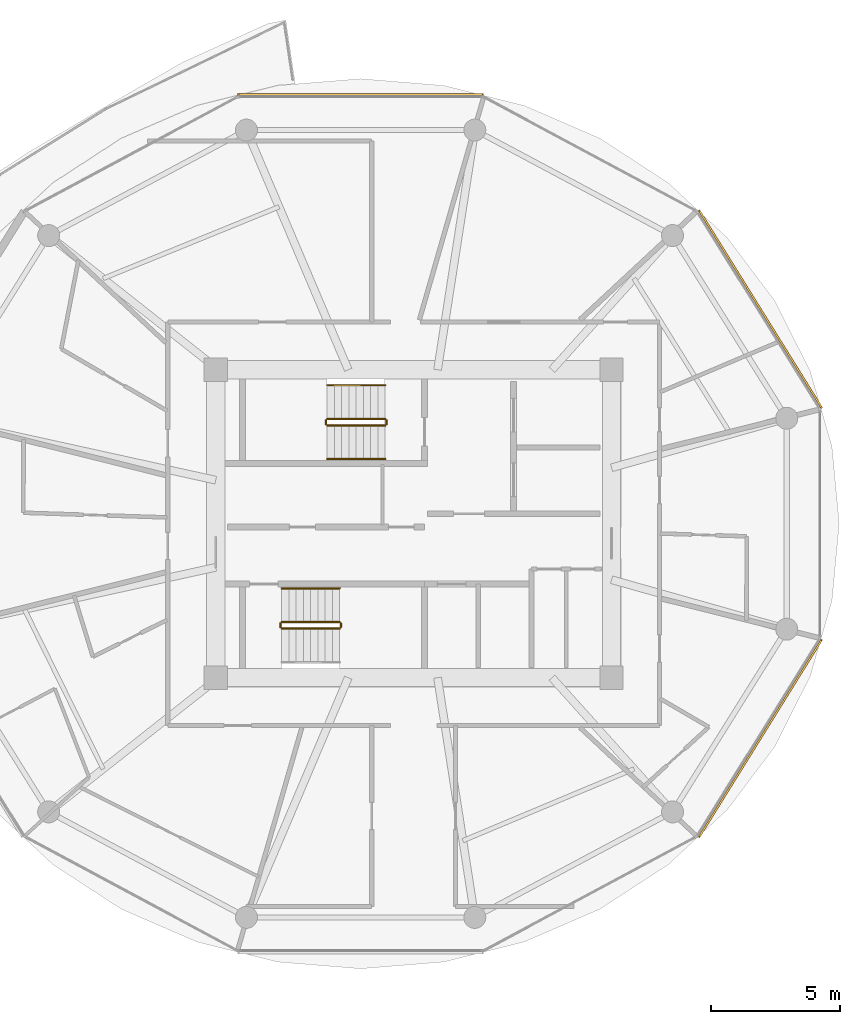
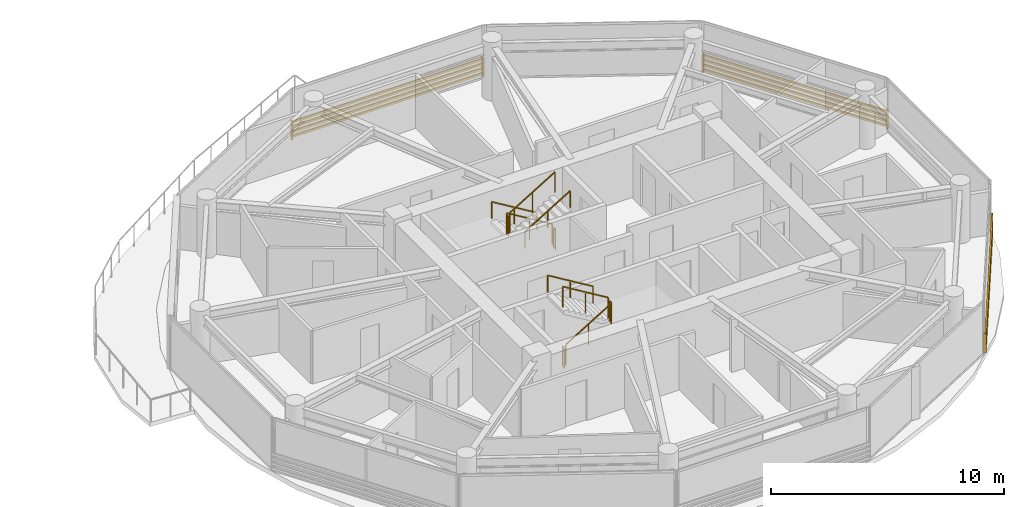
# One storey, part 22 of 22: 11 railings, 3 shading devices.
"""IFC4 building model written with IfcOpenShell, lengths in metres."""

from ifc_helpers import new_model, si_unit, direction, frame, origin, origin_2d, place, context, subcontext, project, spatial, rectangle, extrude, source, transform, mapped, material, type_object, type_shapes, element, save


model = new_model("IFC4")

# Units and contexts
model_context = context("Model", 3, precision=1e-05, world=origin(), true_north=direction((0.0, 1.0)))
body_context = subcontext(model_context, "Body", "Model", "MODEL_VIEW")
ifc_project = project(units=[si_unit("LENGTHUNIT", "METRE"), si_unit("AREAUNIT", "SQUARE_METRE"), si_unit("VOLUMEUNIT", "CUBIC_METRE"), si_unit("PLANEANGLEUNIT", "RADIAN"), si_unit("MASSUNIT", "GRAM", prefix="KILO")], contexts=[model_context])

# Site, building, storey
site_placement = place(None, origin())
site = spatial("IfcSite", under=ifc_project, at=site_placement, CompositionType="ELEMENT")
building_placement = place(site_placement, origin())
building = spatial("IfcBuilding", under=site, at=building_placement, Name="Norrkilde Senior Care Towers", CompositionType="ELEMENT")
storey_placement = place(building_placement, frame((0.0, 0.0, 123.699951171875)))
storey = spatial("IfcBuildingStorey", under=building, at=storey_placement, Name="L38", CompositionType="ELEMENT", Elevation=123.699951171875)

# Railings
ifc_material_1 = material(Name="Stainless Steel", Category="steel")
railing_type_1 = type_object("IfcRailingType", Name="Stair and Terrace Guardrail 1100", PredefinedType="GUARDRAIL", material=ifc_material_1)
railing_1_placement = place(storey_placement, frame((26.89990234375, 4.050048828125, 0.16943359375)))
element("IfcRailing", 1, at=railing_1_placement, inside=storey, type_object=railing_type_1, Name="L38 ST-E1 stair guard 1", PredefinedType="GUARDRAIL", context=body_context, shape_type="SweptSolid", body=[
    extrude(rectangle(XDim=0.048095703125, YDim=0.048095703125, at=origin_2d()), frame((0.0, 0.0, 1.076171875), z_axis=(-0.855512035549, 0.0, 0.517782924622), x_axis=(0.0, -1.0, 0.0)), (0.0, 0.0, 1.0), 2.618408203125),
    extrude(rectangle(XDim=0.0419921875, YDim=0.0419921875, at=origin_2d()), origin(), (0.0, 0.0, 1.0), 1.050048828125),
    extrude(rectangle(XDim=0.0419921875, YDim=0.0419921875, at=origin_2d()), frame((-1.1201171875, 0.0, 0.677734375)), (0.0, 0.0, 1.0), 1.050048828125),
    extrude(rectangle(XDim=0.0419921875, YDim=0.0419921875, at=origin_2d()), frame((-2.239990234375, 0.0, 1.355712890625)), (0.0, 0.0, 1.0), 1.050048828125),
])
railing_2_placement = place(storey_placement, frame((24.610107421875, 4.0, 1.525146484375)))
element("IfcRailing", 2, at=railing_2_placement, inside=storey, type_object=railing_type_1, Name="L38 ST-E1 stair guard 2", PredefinedType="GUARDRAIL", context=body_context, shape_type="SweptSolid", body=[
    extrude(rectangle(XDim=0.048095703125, YDim=0.048095703125, at=origin_2d()), frame((0.0, 0.0, 1.076171875), z_axis=(0.0, -1.0, 0.0), x_axis=(1.0, 0.0, 0.0)), (0.0, 0.0, 1.0), 0.14990234375),
    extrude(rectangle(XDim=0.0419921875, YDim=0.0419921875, at=origin_2d()), origin(), (0.0, 0.0, 1.0), 1.050048828125),
    extrude(rectangle(XDim=0.0419921875, YDim=0.0419921875, at=origin_2d()), frame((0.0, -0.14990234375, 0.0)), (0.0, 0.0, 1.0), 1.050048828125),
])
railing_3_placement = place(storey_placement, frame((24.659912109375, 3.800048828125, 1.694580078125)))
element("IfcRailing", 3, at=railing_3_placement, inside=storey, type_object=railing_type_1, Name="L38 ST-E1 stair guard 3", PredefinedType="GUARDRAIL", context=body_context, shape_type="SweptSolid", body=[
    extrude(rectangle(XDim=0.048095703125, YDim=0.048095703125, at=origin_2d()), frame((0.0, 0.0, 1.076171875), z_axis=(0.855553338991, 0.0, 0.51771467445), x_axis=(0.0, 1.0, 0.0)), (0.0, 0.0, 1.0), 2.6181640625),
    extrude(rectangle(XDim=0.0419921875, YDim=0.0419921875, at=origin_2d()), origin(), (0.0, 0.0, 1.0), 1.050048828125),
    extrude(rectangle(XDim=0.0419921875, YDim=0.0419921875, at=origin_2d()), frame((1.1201171875, 0.0, 0.677734375)), (0.0, 0.0, 1.0), 1.050048828125),
    extrude(rectangle(XDim=0.0419921875, YDim=0.0419921875, at=origin_2d()), frame((2.239990234375, 0.0, 1.35546875)), (0.0, 0.0, 1.0), 1.050048828125),
])
railing_4_placement = place(storey_placement, frame((26.949951171875, 4.0, 0.0)))
element("IfcRailing", 4, at=railing_4_placement, inside=storey, type_object=railing_type_1, Name="L38 ST-E1 stair guard 4", PredefinedType="GUARDRAIL", context=body_context, shape_type="SweptSolid", body=[
    extrude(rectangle(XDim=0.048095703125, YDim=0.048095703125, at=origin_2d()), frame((0.0, 0.0, 1.076171875), z_axis=(0.0, -1.0, 0.0), x_axis=(1.0, 0.0, 0.0)), (0.0, 0.0, 1.0), 0.14990234375),
    extrude(rectangle(XDim=0.0419921875, YDim=0.0419921875, at=origin_2d()), origin(), (0.0, 0.0, 1.0), 1.050048828125),
    extrude(rectangle(XDim=0.0419921875, YDim=0.0419921875, at=origin_2d()), frame((0.0, -0.14990234375, 0.0)), (0.0, 0.0, 1.0), 1.050048828125),
])
railing_5_placement = place(storey_placement, frame((22.89990234375, -4.050048828125, 0.16943359375)))
element("IfcRailing", 5, at=railing_5_placement, inside=storey, type_object=railing_type_1, Name="L38 ST-E2 stair guard 1", PredefinedType="GUARDRAIL", context=body_context, shape_type="SweptSolid", body=[
    extrude(rectangle(XDim=0.048095703125, YDim=0.048095703125, at=origin_2d()), frame((0.0, 0.0, 1.076171875), z_axis=(0.855512035549, 0.0, 0.517782924622), x_axis=(0.0, 1.0, 0.0)), (0.0, 0.0, 1.0), 2.618408203125),
    extrude(rectangle(XDim=0.0419921875, YDim=0.0419921875, at=origin_2d()), origin(), (0.0, 0.0, 1.0), 1.050048828125),
    extrude(rectangle(XDim=0.0419921875, YDim=0.0419921875, at=origin_2d()), frame((1.1201171875, 0.0, 0.677734375)), (0.0, 0.0, 1.0), 1.050048828125),
    extrude(rectangle(XDim=0.0419921875, YDim=0.0419921875, at=origin_2d()), frame((2.239990234375, 0.0, 1.355712890625)), (0.0, 0.0, 1.0), 1.050048828125),
])
railing_6_placement = place(storey_placement, frame((25.18994140625, -4.0, 1.525146484375)))
element("IfcRailing", 6, at=railing_6_placement, inside=storey, type_object=railing_type_1, Name="L38 ST-E2 stair guard 2", PredefinedType="GUARDRAIL", context=body_context, shape_type="SweptSolid", body=[
    extrude(rectangle(XDim=0.048095703125, YDim=0.048095703125, at=origin_2d()), frame((0.0, 0.0, 1.076171875), z_axis=(0.0, 1.0, 0.0), x_axis=(-1.0, 0.0, 0.0)), (0.0, 0.0, 1.0), 0.14990234375),
    extrude(rectangle(XDim=0.0419921875, YDim=0.0419921875, at=origin_2d()), origin(), (0.0, 0.0, 1.0), 1.050048828125),
    extrude(rectangle(XDim=0.0419921875, YDim=0.0419921875, at=origin_2d()), frame((0.0, 0.14990234375, 0.0)), (0.0, 0.0, 1.0), 1.050048828125),
])
railing_7_placement = place(storey_placement, frame((25.139892578125, -3.800048828125, 1.694580078125)))
element("IfcRailing", 7, at=railing_7_placement, inside=storey, type_object=railing_type_1, Name="L38 ST-E2 stair guard 3", PredefinedType="GUARDRAIL", context=body_context, shape_type="SweptSolid", body=[
    extrude(rectangle(XDim=0.048095703125, YDim=0.048095703125, at=origin_2d()), frame((0.0, 0.0, 1.076171875), z_axis=(-0.855553338991, 0.0, 0.51771467445), x_axis=(0.0, -1.0, 0.0)), (0.0, 0.0, 1.0), 2.6181640625),
    extrude(rectangle(XDim=0.0419921875, YDim=0.0419921875, at=origin_2d()), origin(), (0.0, 0.0, 1.0), 1.050048828125),
    extrude(rectangle(XDim=0.0419921875, YDim=0.0419921875, at=origin_2d()), frame((-1.1201171875, 0.0, 0.677734375)), (0.0, 0.0, 1.0), 1.050048828125),
    extrude(rectangle(XDim=0.0419921875, YDim=0.0419921875, at=origin_2d()), frame((-2.239990234375, 0.0, 1.35546875)), (0.0, 0.0, 1.0), 1.050048828125),
])
railing_8_placement = place(storey_placement, frame((22.85009765625, -4.0, 0.0)))
element("IfcRailing", 8, at=railing_8_placement, inside=storey, type_object=railing_type_1, Name="L38 ST-E2 stair guard 4", PredefinedType="GUARDRAIL", context=body_context, shape_type="SweptSolid", body=[
    extrude(rectangle(XDim=0.048095703125, YDim=0.048095703125, at=origin_2d()), frame((0.0, 0.0, 1.076171875), z_axis=(0.0, 1.0, 0.0), x_axis=(-1.0, 0.0, 0.0)), (0.0, 0.0, 1.0), 0.14990234375),
    extrude(rectangle(XDim=0.0419921875, YDim=0.0419921875, at=origin_2d()), origin(), (0.0, 0.0, 1.0), 1.050048828125),
    extrude(rectangle(XDim=0.0419921875, YDim=0.0419921875, at=origin_2d()), frame((0.0, 0.14990234375, 0.0)), (0.0, 0.0, 1.0), 1.050048828125),
])
ifc_material_2 = material(Name="Nordic Ash Timber", Category="wood")
railing_type_2 = type_object("IfcRailingType", Name="Wall and Stair Handrail 900", PredefinedType="HANDRAIL", material=ifc_material_2)
railing_9_placement = place(storey_placement, frame((26.89990234375, 5.35009765625, 0.16943359375)))
element("IfcRailing", 9, at=railing_9_placement, inside=storey, type_object=railing_type_2, Name="L38 ST-E1 stair handrail 1", PredefinedType="HANDRAIL", context=body_context, shape_type="SweptSolid", body=[
    extrude(rectangle(XDim=0.048095703125, YDim=0.048095703125, at=origin_2d()), frame((0.0, 0.0, 0.8759765625), z_axis=(-0.855512035549, 0.0, 0.517782924622), x_axis=(0.0, -1.0, 0.0)), (0.0, 0.0, 1.0), 2.618408203125),
    extrude(rectangle(XDim=0.0419921875, YDim=0.0419921875, at=origin_2d()), origin(), (0.0, 0.0, 1.0), 0.849853515625),
    extrude(rectangle(XDim=0.0419921875, YDim=0.0419921875, at=origin_2d()), frame((-1.1201171875, 0.0, 0.677734375)), (0.0, 0.0, 1.0), 0.849853515625),
    extrude(rectangle(XDim=0.0419921875, YDim=0.0419921875, at=origin_2d()), frame((-2.239990234375, 0.0, 1.355712890625)), (0.0, 0.0, 1.0), 0.849853515625),
])
railing_10_placement = place(storey_placement, frame((24.659912109375, 2.5, 1.694580078125)))
element("IfcRailing", 10, at=railing_10_placement, inside=storey, type_object=railing_type_2, Name="L38 ST-E1 stair handrail 2", PredefinedType="HANDRAIL", context=body_context, shape_type="SweptSolid", body=[
    extrude(rectangle(XDim=0.048095703125, YDim=0.048095703125, at=origin_2d()), frame((0.0, 0.0, 0.8759765625), z_axis=(0.855553338991, 0.0, 0.51771467445), x_axis=(0.0, 1.0, 0.0)), (0.0, 0.0, 1.0), 2.6181640625),
    extrude(rectangle(XDim=0.0419921875, YDim=0.0419921875, at=origin_2d()), origin(), (0.0, 0.0, 1.0), 0.849853515625),
    extrude(rectangle(XDim=0.0419921875, YDim=0.0419921875, at=origin_2d()), frame((1.1201171875, 0.0, 0.677734375)), (0.0, 0.0, 1.0), 0.849853515625),
    extrude(rectangle(XDim=0.0419921875, YDim=0.0419921875, at=origin_2d()), frame((2.239990234375, 0.0, 1.35546875)), (0.0, 0.0, 1.0), 0.849853515625),
])
railing_11_placement = place(storey_placement, frame((25.139892578125, -2.5, 1.694580078125)))
element("IfcRailing", 11, at=railing_11_placement, inside=storey, type_object=railing_type_2, Name="L38 ST-E2 stair handrail 2", PredefinedType="HANDRAIL", context=body_context, shape_type="SweptSolid", body=[
    extrude(rectangle(XDim=0.048095703125, YDim=0.048095703125, at=origin_2d()), frame((0.0, 0.0, 0.8759765625), z_axis=(-0.855553338991, 0.0, 0.51771467445), x_axis=(0.0, -1.0, 0.0)), (0.0, 0.0, 1.0), 2.6181640625),
    extrude(rectangle(XDim=0.0419921875, YDim=0.0419921875, at=origin_2d()), origin(), (0.0, 0.0, 1.0), 0.849853515625),
    extrude(rectangle(XDim=0.0419921875, YDim=0.0419921875, at=origin_2d()), frame((-1.1201171875, 0.0, 0.677734375)), (0.0, 0.0, 1.0), 0.849853515625),
    extrude(rectangle(XDim=0.0419921875, YDim=0.0419921875, at=origin_2d()), frame((-2.239990234375, 0.0, 1.35546875)), (0.0, 0.0, 1.0), 0.849853515625),
])

# Shading devices
ifc_material_3 = material(Name="Architectural Terracotta", Category="masonry")
shading_device_type = type_object("IfcShadingDeviceType", Name="Horizontal Terracotta Baguette Rack", PredefinedType="USERDEFINED", material=ifc_material_3)
shared_shape_1 = source(origin(), body_context, "Body", "SweptSolid", [
    extrude(rectangle(XDim=0.070068359375, YDim=0.110107421875, at=origin_2d()), frame((0.0, 0.090087890625, 0.125), z_axis=(1.0, 0.0, 0.0), x_axis=(0.0, 1.0, 0.0)), (0.0, 0.0, 1.0), 9.01416015625),
    extrude(rectangle(XDim=0.070068359375, YDim=0.110107421875, at=origin_2d()), frame((0.0, 0.090087890625, 0.375), z_axis=(1.0, 0.0, 0.0), x_axis=(0.0, 1.0, 0.0)), (0.0, 0.0, 1.0), 9.01416015625),
    extrude(rectangle(XDim=0.070068359375, YDim=0.110107421875, at=origin_2d()), frame((0.0, 0.090087890625, 0.625), z_axis=(1.0, 0.0, 0.0), x_axis=(0.0, 1.0, 0.0)), (0.0, 0.0, 1.0), 9.01416015625),
    extrude(rectangle(XDim=0.070068359375, YDim=0.110107421875, at=origin_2d()), frame((0.0, 0.090087890625, 0.875), z_axis=(1.0, 0.0, 0.0), x_axis=(0.0, 1.0, 0.0)), (0.0, 0.0, 1.0), 9.01416015625),
    extrude(rectangle(XDim=0.050048828125, YDim=0.1552734375, at=origin_2d()), frame((0.02490234375, 0.047607421875, 0.0)), (0.0, 0.0, 1.0), 1.0),
    extrude(rectangle(XDim=0.050048828125, YDim=0.1552734375, at=origin_2d()), frame((8.9892578125, 0.047607421875, 0.0)), (0.0, 0.0, 1.0), 1.0),
])
for number, where, z_axis, x_axis, name in (
    (12, (38.946533203125, 12.077392578125, 0.080078125), (0.0, 0.0, 1.0), (0.527734142246, -0.849412274525, 0.0), "L38 Drum E Terracotta Baguette Screen 00"),
    (13, (43.70361328125, -4.420654296875, 0.080078125), (0.0, 0.0, 1.0), (-0.527734142246, -0.849412274525, 0.0), "L38 Drum E Terracotta Baguette Screen 10"),
):
    element("IfcShadingDevice", number, at=place(storey_placement, frame(where, z_axis=z_axis, x_axis=x_axis)), inside=storey, type_object=shading_device_type, Name=name, ObjectType="BAGUETTE", PredefinedType="USERDEFINED", context=body_context, shape_type="MappedRepresentation", body=[
        mapped(shared_shape_1, transform((0.0, 0.0, 0.0), x_axis=(1.0, 0.0, 0.0), y_axis=(0.0, 1.0, 0.0), z_axis=(0.0, 0.0, 1.0), scale=1.0)),
    ])
shared_shape_2 = source(origin(), body_context, "Body", "SweptSolid", [
    extrude(rectangle(XDim=0.070068359375, YDim=0.110107421875, at=origin_2d()), frame((0.0, 0.090087890625, 0.125), z_axis=(1.0, 0.0, 0.0), x_axis=(0.0, 1.0, 0.0)), (0.0, 0.0, 1.0), 9.51416015625),
    extrude(rectangle(XDim=0.070068359375, YDim=0.110107421875, at=origin_2d()), frame((0.0, 0.090087890625, 0.375), z_axis=(1.0, 0.0, 0.0), x_axis=(0.0, 1.0, 0.0)), (0.0, 0.0, 1.0), 9.51416015625),
    extrude(rectangle(XDim=0.070068359375, YDim=0.110107421875, at=origin_2d()), frame((0.0, 0.090087890625, 0.625), z_axis=(1.0, 0.0, 0.0), x_axis=(0.0, 1.0, 0.0)), (0.0, 0.0, 1.0), 9.51416015625),
    extrude(rectangle(XDim=0.070068359375, YDim=0.110107421875, at=origin_2d()), frame((0.0, 0.090087890625, 0.875), z_axis=(1.0, 0.0, 0.0), x_axis=(0.0, 1.0, 0.0)), (0.0, 0.0, 1.0), 9.51416015625),
    extrude(rectangle(XDim=0.050048828125, YDim=0.1552734375, at=origin_2d()), frame((0.02490234375, 0.047607421875, 0.0)), (0.0, 0.0, 1.0), 1.0),
    extrude(rectangle(XDim=0.050048828125, YDim=0.1552734375, at=origin_2d()), frame((9.4892578125, 0.047607421875, 0.0)), (0.0, 0.0, 1.0), 1.0),
])
type_shapes(shading_device_type, [shared_shape_1, shared_shape_2])
shading_device_placement = place(storey_placement, frame((21.19287109375, 16.498046875, 0.080078125), z_axis=(0.0, 0.0, 1.0), x_axis=(1.0, 0.0, 0.0)))
element("IfcShadingDevice", 14, at=shading_device_placement, inside=storey, type_object=shading_device_type, Name="L38 Drum E Terracotta Baguette Screen 02", ObjectType="BAGUETTE", PredefinedType="USERDEFINED", context=body_context, shape_type="MappedRepresentation", body=[
    mapped(shared_shape_2, transform((0.0, 0.0, 0.0), x_axis=(1.0, 0.0, 0.0), y_axis=(0.0, 1.0, 0.0), z_axis=(0.0, 0.0, 1.0), scale=1.0)),
])

save(model, "model.ifc")
